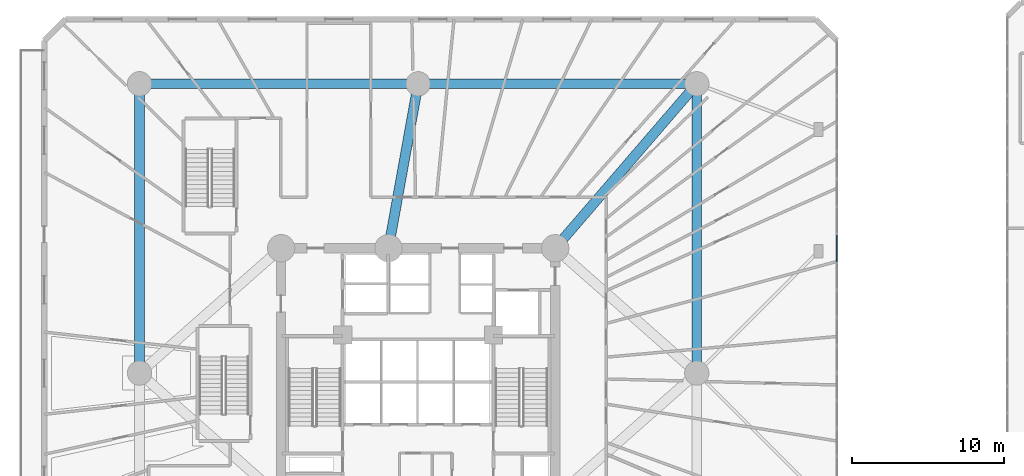
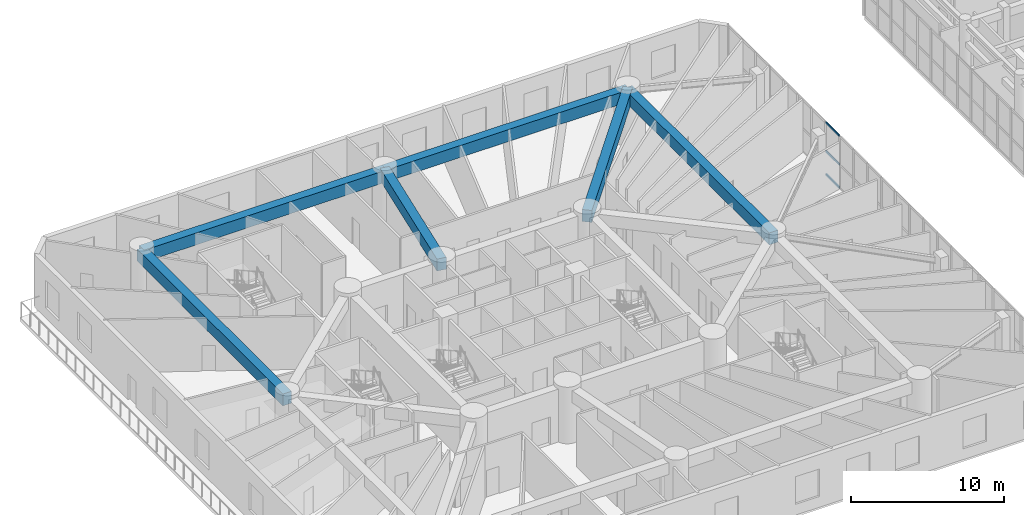
# One storey, part 4 of 26: 6 beams, 3 members, 1 element without a shape of its own.
"""IFC4 building model written with IfcOpenShell, lengths in metres."""

from ifc_helpers import new_model, si_unit, direction, frame, origin, origin_with_axes, origin_2d, place, context, subcontext, project, spatial, rectangle, extrude, source, transform, mapped, material, layer, layer_set, material_profile, profile_set, type_object, element, aggregate, save


model = new_model("IFC4")

# Units and contexts
model_context = context("Model", 3, precision=1e-05, world=origin(), true_north=direction((0.0, 1.0)))
body_context = subcontext(model_context, "Body", "Model", "MODEL_VIEW")
ifc_project = project(units=[si_unit("LENGTHUNIT", "METRE"), si_unit("AREAUNIT", "SQUARE_METRE"), si_unit("VOLUMEUNIT", "CUBIC_METRE"), si_unit("PLANEANGLEUNIT", "RADIAN"), si_unit("MASSUNIT", "GRAM", prefix="KILO")], contexts=[model_context])

# Site, building, storey
site_placement = place(None, origin())
site = spatial("IfcSite", under=ifc_project, at=site_placement, CompositionType="ELEMENT")
building_placement = place(site_placement, origin())
building = spatial("IfcBuilding", under=site, at=building_placement, Name="Karkom Vertical University and Central Library", CompositionType="ELEMENT")
storey_placement = place(building_placement, frame((0.0, 0.0, 9.0)))
storey = spatial("IfcBuildingStorey", under=building, at=storey_placement, Name="L02", CompositionType="ELEMENT", Elevation=9.0)

# Beams
ifc_material_1 = material(Name="Concrete C50/60", Category="concrete")
ifc_material_profile_1 = material_profile(ifc_material_1, rectangle(XDim=0.64990234375, YDim=0.949951171875, at=origin_2d()), Name="RCG-650x950")
ifc_profile_set_1 = profile_set([ifc_material_profile_1], Name="Concrete C50/60")
beam_type = type_object("IfcBeamType", Name="STR-BM-BG-1", PredefinedType="USERDEFINED", material=ifc_profile_set_1)
shared_shape_1 = source(origin_with_axes(), body_context, "Body", "SweptSolid", [
    extrude(rectangle(XDim=0.64990234375, YDim=0.949951171875, at=origin_2d()), origin(), (0.0, 0.0, 1.0), 18.300048828125),
])
for number, where, z_axis, x_axis, name in (
    (1, (10.199951171875, 45.5, 3.72509765625), (1.0, 0.0, 0.0), (0.0, 1.0, 0.0), "Level 02 Podium Primary Girder 07"),
    (2, (28.5, 45.5, 3.72509765625), (1.0, 0.0, 0.0), (0.0, 1.0, 0.0), "Level 02 Podium Primary Girder 08"),
):
    element("IfcBeam", number, at=place(storey_placement, frame(where, z_axis=z_axis, x_axis=x_axis)), inside=storey, type_object=beam_type, Name=name, ObjectType="GIRDER", PredefinedType="USERDEFINED", context=body_context, shape_type="MappedRepresentation", body=[
        mapped(shared_shape_1, transform((0.0, 0.0, 0.0), scale=1.0)),
    ])
shared_shape_2 = source(origin_with_axes(), body_context, "Body", "SweptSolid", [
    extrude(rectangle(XDim=0.64990234375, YDim=0.949951171875, at=origin_2d()), origin(), (0.0, 0.0, 1.0), 19.0),
])
for number, where, z_axis, x_axis, name in (
    (3, (10.199951171875, 26.5, 3.72509765625), (0.0, 1.0, 0.0), (-1.0, 0.0, 0.0), "Level 02 Podium Primary Girder 04"),
    (4, (46.800048828125, 26.5, 3.72509765625), (0.0, 1.0, 0.0), (-1.0, 0.0, 0.0), "Level 02 Podium Primary Girder 06"),
):
    element("IfcBeam", number, at=place(storey_placement, frame(where, z_axis=z_axis, x_axis=x_axis)), inside=storey, type_object=beam_type, Name=name, ObjectType="GIRDER", PredefinedType="USERDEFINED", context=body_context, shape_type="MappedRepresentation", body=[
        mapped(shared_shape_2, transform((0.0, 0.0, 0.0), scale=1.0)),
    ])
shared_shape_3 = source(origin_with_axes(), body_context, "Body", "SweptSolid", [
    extrude(rectangle(XDim=0.64990234375, YDim=0.949951171875, at=origin_2d()), origin(), (0.0, 0.0, 1.0), 14.25244140625),
])
beam_1_placement = place(storey_placement, frame((46.800048828125, 45.5, 3.72509765625), z_axis=(-0.652523408586, -0.757768567076, 0.0), x_axis=(0.757768567076, -0.652523408586, 0.0)))
element("IfcBeam", 5, at=beam_1_placement, inside=storey, type_object=beam_type, Name="Level 02 Podium Primary Girder 14", ObjectType="GIRDER", PredefinedType="USERDEFINED", context=body_context, shape_type="MappedRepresentation", body=[
    mapped(shared_shape_3, transform((0.0, 0.0, 0.0), scale=1.0)),
])
shared_shape_4 = source(origin_with_axes(), body_context, "Body", "SweptSolid", [
    extrude(rectangle(XDim=0.64990234375, YDim=0.949951171875, at=origin_2d()), origin(), (0.0, 0.0, 1.0), 10.974609375),
])
beam_2_placement = place(storey_placement, frame((28.5, 45.5, 3.72509765625), z_axis=(-0.177677443813, -0.984088779511, 0.0), x_axis=(0.984088779511, -0.177677443813, 0.0)))
element("IfcBeam", 6, at=beam_2_placement, inside=storey, type_object=beam_type, Name="Level 02 Podium Primary Girder 13", ObjectType="GIRDER", PredefinedType="USERDEFINED", context=body_context, shape_type="MappedRepresentation", body=[
    mapped(shared_shape_4, transform((0.0, 0.0, 0.0), scale=1.0)),
])

# Curtain wall, members
ifc_material_2 = material(Name="Aluminium curtain-wall framing and low-E IGU", Category="aluminium")
ifc_layer = layer(ifc_material_2, 0.199951171875)
ifc_layer_set = layer_set([ifc_layer], Name="Aluminium curtain-wall framing and low-E IGU")
curtain_wall_type = type_object("IfcCurtainWallType", Name="ENV-CW-3", PredefinedType="USERDEFINED", material=ifc_layer_set)
curtain_wall_placement = place(storey_placement, origin())
curtain_wall = element("IfcCurtainWall", 7, at=curtain_wall_placement, inside=storey, type_object=curtain_wall_type, Name="Level 02 CW-3 Curtain Wall Level 02-CW3-3-2", ObjectType="STICK MULLION GLAZING", PredefinedType="USERDEFINED")
ifc_material_3 = material(Name="Anodised Aluminium 6063-T6", Category="aluminium")
ifc_material_profile_2 = material_profile(ifc_material_3, rectangle(XDim=0.074951171875, YDim=0.1650390625, at=origin_2d()), Name="ALU-T75x165")
ifc_profile_set_2 = profile_set([ifc_material_profile_2], Name="Anodised Aluminium 6063-T6")
member_type = type_object("IfcMemberType", Name="ENV-MEM-ALU-T75x165", PredefinedType="USERDEFINED", material=ifc_profile_set_2)
shared_shape_5 = source(origin_with_axes(), body_context, "Body", "SweptSolid", [
    extrude(rectangle(XDim=0.074951171875, YDim=0.1650390625, at=origin_2d()), origin(), (0.0, 0.0, 1.0), 1.745849609375),
])
member_1_placement = place(storey_placement, frame((56.0, 33.82080078125, 0.03759765625), z_axis=(0.0, 1.0, 0.0), x_axis=(-1.0, 0.0, 0.0)))
member_1 = element("IfcMember", 8, at=member_1_placement, type_object=member_type, Name="CW-3 transom 5.1", ObjectType="TRANSOM", PredefinedType="USERDEFINED", context=body_context, shape_type="MappedRepresentation", body=[
    mapped(shared_shape_5, transform((0.0, 0.0, 0.0), scale=1.0)),
])
member_2_placement = place(storey_placement, frame((56.0, 33.82080078125, 1.889892578125), z_axis=(0.0, 1.0, 0.0), x_axis=(-1.0, 0.0, 0.0)))
member_2 = element("IfcMember", 9, at=member_2_placement, type_object=member_type, Name="CW-3 transom 5.2", ObjectType="TRANSOM", PredefinedType="USERDEFINED", context=body_context, shape_type="MappedRepresentation", body=[
    mapped(shared_shape_5, transform((0.0, 0.0, 0.0), scale=1.0)),
])
member_3_placement = place(storey_placement, frame((56.0, 33.82080078125, 4.16259765625), z_axis=(0.0, 1.0, 0.0), x_axis=(-1.0, 0.0, 0.0)))
member_3 = element("IfcMember", 10, at=member_3_placement, type_object=member_type, Name="CW-3 transom 5.3", ObjectType="TRANSOM", PredefinedType="USERDEFINED", context=body_context, shape_type="MappedRepresentation", body=[
    mapped(shared_shape_5, transform((0.0, 0.0, 0.0), scale=1.0)),
])
aggregate(curtain_wall, [member_1, member_2, member_3])

save(model, "model.ifc")
